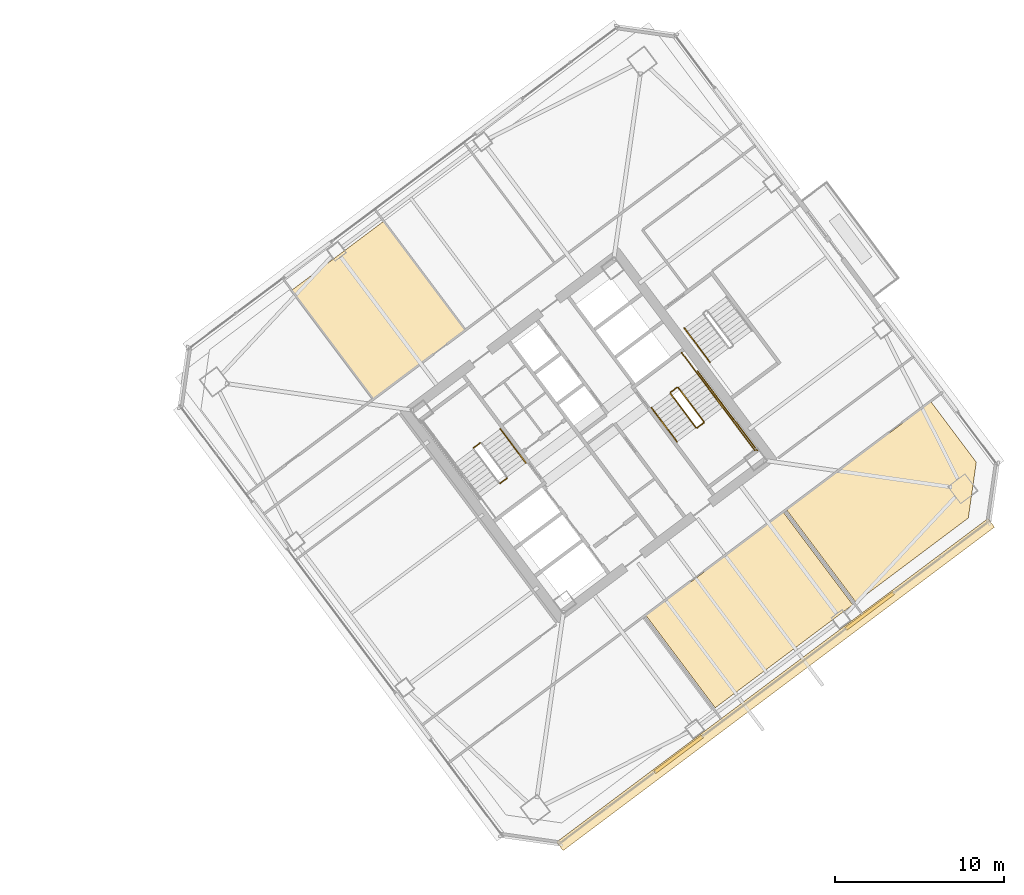
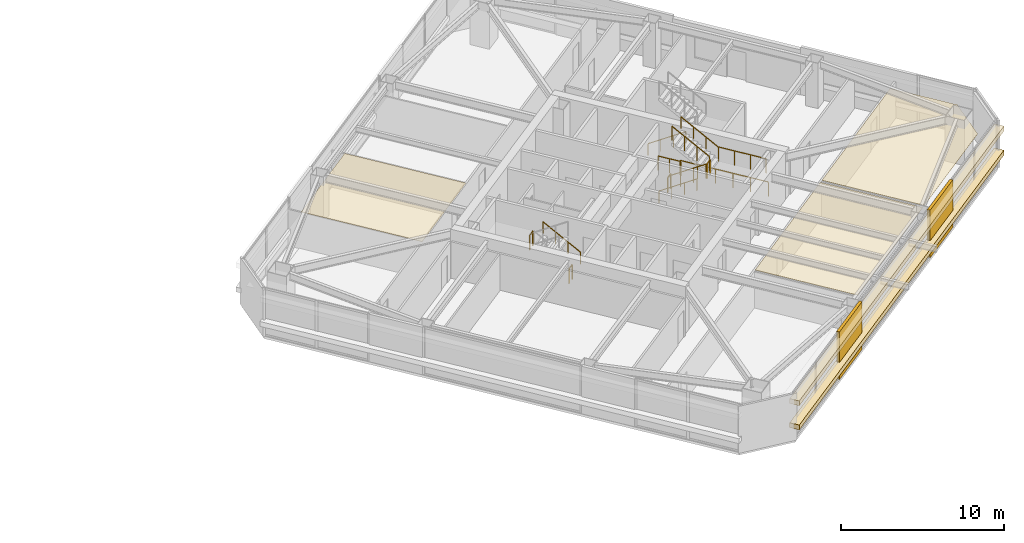
# One storey, part 44 of 46: 13 railings, 7 coverings.
"""IFC4 building model written with IfcOpenShell, lengths in metres."""

from ifc_helpers import new_model, si_unit, direction, frame, origin, origin_2d, place, context, subcontext, project, spatial, polyline, rectangle, outline, extrude, material, layer, layer_set, type_object, element, save


model = new_model("IFC4")

# Units and contexts
model_context = context("Model", 3, precision=1e-05, world=origin(), true_north=direction((0.0, 1.0)))
body_context = subcontext(model_context, "Body", "Model", "MODEL_VIEW")
ifc_project = project(units=[si_unit("LENGTHUNIT", "METRE"), si_unit("AREAUNIT", "SQUARE_METRE"), si_unit("VOLUMEUNIT", "CUBIC_METRE"), si_unit("PLANEANGLEUNIT", "RADIAN"), si_unit("MASSUNIT", "GRAM", prefix="KILO")], contexts=[model_context])

# Site, building, storey
site_placement = place(None, origin())
site = spatial("IfcSite", under=ifc_project, at=site_placement, CompositionType="ELEMENT")
building_placement = place(site_placement, origin())
building = spatial("IfcBuilding", under=site, at=building_placement, Name="Tashvorn Skyway Center", CompositionType="ELEMENT")
storey_placement = place(building_placement, frame((0.0, 0.0, 132.14990234375)))
storey = spatial("IfcBuildingStorey", under=building, at=storey_placement, Name="L35", CompositionType="ELEMENT", Elevation=132.14990234375)

# Coverings
ifc_material_1 = material(Name="Precast concrete C40/50", Category="concrete")
ifc_layer_1 = layer(ifc_material_1, 0.199951171875)
ifc_layer_set_1 = layer_set([ifc_layer_1], Name="Precast concrete C40/50")
covering_type_1 = type_object("IfcCoveringType", Name="COV-BRACE-CLAD", PredefinedType="CLADDING", material=ifc_layer_set_1)
for number, where, z_axis, x_axis, name in (
    (1, (130.6142578125, 21.610595703125, 0.0), (0.0, 0.0, 1.0), (-0.799999996291, -0.600000004945, 0.0), "Tower 2 L35 South Unitised Curtain Wall Mega-Brace Cladding Band 1"),
    (2, (119.32177734375, 13.141357421875, 0.0), (0.0, 0.0, 1.0), (-0.799999996291, -0.600000004945, 0.0), "Tower 2 L35 South Unitised Curtain Wall Mega-Brace Cladding Band 2"),
):
    element("IfcCovering", number, at=place(storey_placement, frame(where, z_axis=z_axis, x_axis=x_axis)), inside=storey, type_object=covering_type_1, Name=name, PredefinedType="CLADDING", context=body_context, shape_type="SweptSolid", body=[
        extrude(rectangle(XDim=3.52880859375, YDim=0.199951171875, at=origin_2d()), origin(), (0.0, 0.0, 1.0), 3.550048828125),
    ])
ifc_material_2 = material(Name="Mineral-fibre acoustic ceiling tile on suspended grid")
ifc_layer_2 = layer(ifc_material_2, 0.02001953125)
ifc_layer_set_2 = layer_set([ifc_layer_2], Name="Mineral-fibre acoustic ceiling tile on suspended grid")
covering_type_2 = type_object("IfcCoveringType", Name="COV-CEIL-20", PredefinedType="CEILING", material=ifc_layer_set_2)
covering_1_placement = place(storey_placement, frame((0.0, 0.0, 2.703125)))
element("IfcCovering", 3, at=covering_1_placement, inside=storey, type_object=covering_type_2, Name="Tower 2 L35 Conference Room Acoustic Ceiling", PredefinedType="CEILING", context=body_context, shape_type="SweptSolid", body=[
    extrude(outline(polyline([(101.27001953125, 34.139892578125), (106.7099609375, 38.219970703125), (101.8798828125, 44.659912109375), (96.43994140625, 40.580078125), (101.27001953125, 34.139892578125)])), origin(), (0.0, 0.0, 1.0), 0.02001953125),
])
covering_2_placement = place(storey_placement, frame((0.0, 0.0, 2.703125)))
element("IfcCovering", 4, at=covering_2_placement, inside=storey, type_object=covering_type_2, Name="Tower 2 L35 Design Studio Acoustic Ceiling", PredefinedType="CEILING", context=body_context, shape_type="SweptSolid", body=[
    extrude(outline(polyline([(117.39208984375, 21.343994140625), (125.52001953125, 27.43994140625), (129.612060546875, 21.98388671875), (121.48388671875, 15.887939453125), (117.39208984375, 21.343994140625)])), origin(), (0.0, 0.0, 1.0), 0.02001953125),
])
covering_3_placement = place(storey_placement, frame((0.0, 0.0, 2.703125)))
element("IfcCovering", 5, at=covering_3_placement, inside=storey, type_object=covering_type_2, Name="Tower 2 L35 Design Studio Acoustic Ceiling", PredefinedType="CEILING", context=body_context, shape_type="SweptSolid", body=[
    extrude(outline(polyline([(129.803955078125, 22.1279296875), (125.7119140625, 27.583984375), (134.239990234375, 33.97998046875), (136.916015625, 30.412109375), (136.444091796875, 27.10791015625), (129.803955078125, 22.1279296875)])), origin(), (0.0, 0.0, 1.0), 0.02001953125),
])
ifc_material_3 = material(Name="Perforated ceramic-coated bronze aluminium solar screen", Category="aluminium")
ifc_layer_3 = layer(ifc_material_3, 0.85009765625)
ifc_layer_set_3 = layer_set([ifc_layer_3], Name="Perforated ceramic-coated bronze aluminium solar screen")
covering_type_3 = type_object("IfcCoveringType", Name="COV-SOLAR-BAND", PredefinedType="CLADDING", material=ifc_layer_set_3)
for number, where, z_axis, x_axis, name in (
    (6, (125.052001953125, 17.263916015625, 0.919921875), (0.0, 0.0, 1.0), (-0.799999996291, -0.600000004945, 0.0), "L35 Perforated Ceramic-Metal Solar Screen Louvre Band South 1"),
    (7, (125.052001953125, 17.263916015625, 2.72021484375), (0.0, 0.0, 1.0), (-0.799999996291, -0.600000004945, 0.0), "L35 Perforated Ceramic-Metal Solar Screen Louvre Band South 2"),
):
    element("IfcCovering", number, at=place(storey_placement, frame(where, z_axis=z_axis, x_axis=x_axis)), inside=storey, type_object=covering_type_3, Name=name, PredefinedType="CLADDING", context=body_context, shape_type="SweptSolid", body=[
        extrude(rectangle(XDim=31.8798828125, YDim=0.639892578125, at=origin_2d()), origin(), (0.0, 0.0, 1.0), 0.360107421875),
    ])

# Railings
ifc_material_4 = material(Name="Brushed stainless steel 316", Category="steel")
railing_type_1 = type_object("IfcRailingType", Name="RAIL-HAND-920", PredefinedType="HANDRAIL", material=ifc_material_4)
railing_1_placement = place(storey_placement, frame((110.2880859375, 30.365966796875, 0.177490234375)))
element("IfcRailing", 8, at=railing_1_placement, inside=storey, type_object=railing_type_1, Name="L35 ST-T2-1 stair handrail 1", PredefinedType="HANDRAIL", context=body_context, shape_type="SweptSolid", body=[
    extrude(rectangle(XDim=0.048095703125, YDim=0.048095703125, at=origin_2d()), frame((0.0, 0.0, 0.8759765625), z_axis=(-0.506779409603, 0.675651334276, 0.53541563714), x_axis=(-0.799976749893, -0.600030998891, 0.0)), (0.0, 0.0, 1.0), 2.98388671875),
    extrude(rectangle(XDim=0.0419921875, YDim=0.0419921875, at=origin_2d()), origin(), (0.0, 0.0, 1.0), 0.851806640625),
    extrude(rectangle(XDim=0.0419921875, YDim=0.0419921875, at=origin_2d()), frame((-0.504150390625, 0.672119140625, 0.532470703125)), (0.0, 0.0, 1.0), 0.851806640625),
    extrude(rectangle(XDim=0.0419921875, YDim=0.0419921875, at=origin_2d()), frame((-1.008056640625, 1.343994140625, 1.065185546875)), (0.0, 0.0, 1.0), 0.851806640625),
    extrude(rectangle(XDim=0.0419921875, YDim=0.0419921875, at=origin_2d()), frame((-1.51220703125, 2.01611328125, 1.59765625)), (0.0, 0.0, 1.0), 0.851806640625),
])
railing_2_placement = place(storey_placement, frame((117.7119140625, 33.634033203125, 0.177490234375)))
element("IfcRailing", 9, at=railing_2_placement, inside=storey, type_object=railing_type_1, Name="L35 ST-T2-2 stair handrail 1", PredefinedType="HANDRAIL", context=body_context, shape_type="SweptSolid", body=[
    extrude(rectangle(XDim=0.048095703125, YDim=0.048095703125, at=origin_2d()), frame((0.0, 0.0, 0.8759765625), z_axis=(0.506779409603, -0.675651334276, 0.53541563714), x_axis=(0.799976749893, 0.600030998891, 0.0)), (0.0, 0.0, 1.0), 2.98388671875),
    extrude(rectangle(XDim=0.0419921875, YDim=0.0419921875, at=origin_2d()), origin(), (0.0, 0.0, 1.0), 0.851806640625),
    extrude(rectangle(XDim=0.0419921875, YDim=0.0419921875, at=origin_2d()), frame((0.504150390625, -0.672119140625, 0.532470703125)), (0.0, 0.0, 1.0), 0.851806640625),
    extrude(rectangle(XDim=0.0419921875, YDim=0.0419921875, at=origin_2d()), frame((1.008056640625, -1.343994140625, 1.065185546875)), (0.0, 0.0, 1.0), 0.851806640625),
    extrude(rectangle(XDim=0.0419921875, YDim=0.0419921875, at=origin_2d()), frame((1.51220703125, -2.01611328125, 1.59765625)), (0.0, 0.0, 1.0), 0.851806640625),
])
railing_3_placement = place(storey_placement, frame((121.927978515625, 33.64599609375, 1.95263671875)))
element("IfcRailing", 10, at=railing_3_placement, inside=storey, type_object=railing_type_1, Name="L35 ST-T2-2 stair handrail 2", PredefinedType="HANDRAIL", context=body_context, shape_type="SweptSolid", body=[
    extrude(rectangle(XDim=0.048095703125, YDim=0.048095703125, at=origin_2d()), frame((0.0, 0.0, 0.8759765625), z_axis=(-0.506740800098, 0.675708949977, 0.535379469569), x_axis=(-0.800023250257, -0.599968998406, 0.0)), (0.0, 0.0, 1.0), 2.983642578125),
    extrude(rectangle(XDim=0.0419921875, YDim=0.0419921875, at=origin_2d()), origin(), (0.0, 0.0, 1.0), 0.851806640625),
    extrude(rectangle(XDim=0.0419921875, YDim=0.0419921875, at=origin_2d()), frame((-0.50390625, 0.672119140625, 0.532470703125)), (0.0, 0.0, 1.0), 0.851806640625),
    extrude(rectangle(XDim=0.0419921875, YDim=0.0419921875, at=origin_2d()), frame((-1.008056640625, 1.343994140625, 1.06494140625)), (0.0, 0.0, 1.0), 0.851806640625),
    extrude(rectangle(XDim=0.0419921875, YDim=0.0419921875, at=origin_2d()), frame((-1.511962890625, 2.01611328125, 1.597412109375)), (0.0, 0.0, 1.0), 0.851806640625),
])
railing_4_placement = place(storey_placement, frame((119.656005859375, 38.342041015625, 0.177490234375)))
element("IfcRailing", 11, at=railing_4_placement, inside=storey, type_object=railing_type_1, Name="L35 ST-T2-3 stair handrail 1", PredefinedType="HANDRAIL", context=body_context, shape_type="SweptSolid", body=[
    extrude(rectangle(XDim=0.048095703125, YDim=0.048095703125, at=origin_2d()), frame((0.0, 0.0, 0.8759765625), z_axis=(0.506718600913, -0.675679348675, 0.535437836974), x_axis=(0.800023250257, 0.599968998406, 0.0)), (0.0, 0.0, 1.0), 2.98388671875),
    extrude(rectangle(XDim=0.0419921875, YDim=0.0419921875, at=origin_2d()), origin(), (0.0, 0.0, 1.0), 0.851806640625),
    extrude(rectangle(XDim=0.0419921875, YDim=0.0419921875, at=origin_2d()), frame((0.50390625, -0.672119140625, 0.532470703125)), (0.0, 0.0, 1.0), 0.851806640625),
    extrude(rectangle(XDim=0.0419921875, YDim=0.0419921875, at=origin_2d()), frame((1.008056640625, -1.343994140625, 1.065185546875)), (0.0, 0.0, 1.0), 0.851806640625),
    extrude(rectangle(XDim=0.0419921875, YDim=0.0419921875, at=origin_2d()), frame((1.511962890625, -2.01611328125, 1.59765625)), (0.0, 0.0, 1.0), 0.851806640625),
])
ifc_material_5 = material(Name="Painted galvanized steel S355", Category="steel")
railing_type_2 = type_object("IfcRailingType", Name="RAIL-STGUARD-1100", PredefinedType="GUARDRAIL", material=ifc_material_5)
for number, where, name in (
    (12, (107.5859375, 31.552001953125, 1.775146484375), "L35 ST-T2-1 stair guard 2"),
    (13, (109.157958984375, 29.4560546875, 0.0), "L35 ST-T2-1 stair guard 5"),
):
    element("IfcRailing", number, at=place(storey_placement, frame(where)), inside=storey, type_object=railing_type_2, Name=name, PredefinedType="GUARDRAIL", context=body_context, shape_type="SweptSolid", body=[
        extrude(rectangle(XDim=0.048095703125, YDim=0.048095703125, at=origin_2d()), frame((0.0, 0.0, 1.076171875), z_axis=(-0.799938970639, -0.600081363861, 0.0), x_axis=(0.600081363861, -0.799938970639, 0.0)), (0.0, 0.0, 1.0), 0.47998046875),
        extrude(rectangle(XDim=0.0419921875, YDim=0.0419921875, at=origin_2d()), origin(), (0.0, 0.0, 1.0), 1.052001953125),
        extrude(rectangle(XDim=0.0419921875, YDim=0.0419921875, at=origin_2d()), frame((-0.384033203125, -0.2880859375, 0.0)), (0.0, 0.0, 1.0), 1.052001953125),
    ])
railing_5_placement = place(storey_placement, frame((118.83203125, 34.47412109375, 0.177490234375)))
element("IfcRailing", 14, at=railing_5_placement, inside=storey, type_object=railing_type_2, Name="L35 ST-T2-2 stair guard 1", PredefinedType="GUARDRAIL", context=body_context, shape_type="SweptSolid", body=[
    extrude(rectangle(XDim=0.048095703125, YDim=0.048095703125, at=origin_2d()), frame((0.0, 0.0, 1.076171875), z_axis=(0.506718600913, -0.675679348675, 0.535437836974), x_axis=(0.800023250257, 0.599968998406, 0.0)), (0.0, 0.0, 1.0), 2.98388671875),
    extrude(rectangle(XDim=0.0419921875, YDim=0.0419921875, at=origin_2d()), origin(), (0.0, 0.0, 1.0), 1.052001953125),
    extrude(rectangle(XDim=0.0419921875, YDim=0.0419921875, at=origin_2d()), frame((0.50390625, -0.672119140625, 0.532470703125)), (0.0, 0.0, 1.0), 1.052001953125),
    extrude(rectangle(XDim=0.0419921875, YDim=0.0419921875, at=origin_2d()), frame((1.008056640625, -1.343994140625, 1.065185546875)), (0.0, 0.0, 1.0), 1.052001953125),
    extrude(rectangle(XDim=0.0419921875, YDim=0.0419921875, at=origin_2d()), frame((1.511962890625, -2.01611328125, 1.59765625)), (0.0, 0.0, 1.0), 1.052001953125),
])
railing_6_placement = place(storey_placement, frame((120.4140625, 32.447998046875, 1.775146484375)))
element("IfcRailing", 15, at=railing_6_placement, inside=storey, type_object=railing_type_2, Name="L35 ST-T2-2 stair guard 2", PredefinedType="GUARDRAIL", context=body_context, shape_type="SweptSolid", body=[
    extrude(rectangle(XDim=0.048095703125, YDim=0.048095703125, at=origin_2d()), frame((0.0, 0.0, 1.076171875), z_axis=(0.799938970639, 0.600081363861, 0.0), x_axis=(-0.600081363861, 0.799938970639, 0.0)), (0.0, 0.0, 1.0), 0.47998046875),
    extrude(rectangle(XDim=0.0419921875, YDim=0.0419921875, at=origin_2d()), origin(), (0.0, 0.0, 1.0), 1.052001953125),
    extrude(rectangle(XDim=0.0419921875, YDim=0.0419921875, at=origin_2d()), frame((0.384033203125, 0.2880859375, 0.0)), (0.0, 0.0, 1.0), 1.052001953125),
])
railing_7_placement = place(storey_placement, frame((121.927978515625, 33.64599609375, 1.775146484375)))
element("IfcRailing", 16, at=railing_7_placement, inside=storey, type_object=railing_type_2, Name="L35 ST-T2-2 stair guard 3", PredefinedType="GUARDRAIL", context=body_context, shape_type="SweptSolid", body=[
    extrude(rectangle(XDim=0.048095703125, YDim=0.048095703125, at=origin_2d()), frame((0.0, 0.0, 1.076171875), z_axis=(0.599987638607, -0.800009270896, 0.0), x_axis=(0.800009270896, 0.599987638607, 0.0)), (0.0, 0.0, 1.0), 3.16015625),
    extrude(rectangle(XDim=0.0419921875, YDim=0.0419921875, at=origin_2d()), origin(), (0.0, 0.0, 1.0), 1.052001953125),
    extrude(rectangle(XDim=0.0419921875, YDim=0.0419921875, at=origin_2d()), frame((0.632080078125, -0.8427734375, 0.0)), (0.0, 0.0, 1.0), 1.052001953125),
    extrude(rectangle(XDim=0.0419921875, YDim=0.0419921875, at=origin_2d()), frame((1.263916015625, -1.685302734375, 0.0)), (0.0, 0.0, 1.0), 1.052001953125),
    extrude(rectangle(XDim=0.0419921875, YDim=0.0419921875, at=origin_2d()), frame((1.89599609375, -2.528076171875, 0.0)), (0.0, 0.0, 1.0), 1.052001953125),
])
railing_8_placement = place(storey_placement, frame((120.80810546875, 32.805908203125, 1.95263671875)))
element("IfcRailing", 17, at=railing_8_placement, inside=storey, type_object=railing_type_2, Name="L35 ST-T2-2 stair guard 4", PredefinedType="GUARDRAIL", context=body_context, shape_type="SweptSolid", body=[
    extrude(rectangle(XDim=0.048095703125, YDim=0.048095703125, at=origin_2d()), frame((0.0, 0.0, 1.076171875), z_axis=(-0.506801609611, 0.675680931896, 0.535357270211), x_axis=(-0.799976749893, -0.600030998891, 0.0)), (0.0, 0.0, 1.0), 2.98388671875),
    extrude(rectangle(XDim=0.0419921875, YDim=0.0419921875, at=origin_2d()), origin(), (0.0, 0.0, 1.0), 1.052001953125),
    extrude(rectangle(XDim=0.0419921875, YDim=0.0419921875, at=origin_2d()), frame((-0.504150390625, 0.672119140625, 0.532470703125)), (0.0, 0.0, 1.0), 1.052001953125),
    extrude(rectangle(XDim=0.0419921875, YDim=0.0419921875, at=origin_2d()), frame((-1.008056640625, 1.343994140625, 1.06494140625)), (0.0, 0.0, 1.0), 1.052001953125),
    extrude(rectangle(XDim=0.0419921875, YDim=0.0419921875, at=origin_2d()), frame((-1.51220703125, 2.01611328125, 1.597412109375)), (0.0, 0.0, 1.0), 1.052001953125),
])
railing_9_placement = place(storey_placement, frame((118.842041015625, 34.5439453125, 0.0)))
element("IfcRailing", 18, at=railing_9_placement, inside=storey, type_object=railing_type_2, Name="L35 ST-T2-2 stair guard 5", PredefinedType="GUARDRAIL", context=body_context, shape_type="SweptSolid", body=[
    extrude(rectangle(XDim=0.048095703125, YDim=0.048095703125, at=origin_2d()), frame((0.0, 0.0, 1.076171875), z_axis=(0.799938970639, 0.600081363861, 0.0), x_axis=(-0.600081363861, 0.799938970639, 0.0)), (0.0, 0.0, 1.0), 0.47998046875),
    extrude(rectangle(XDim=0.0419921875, YDim=0.0419921875, at=origin_2d()), origin(), (0.0, 0.0, 1.0), 1.052001953125),
    extrude(rectangle(XDim=0.0419921875, YDim=0.0419921875, at=origin_2d()), frame((0.384033203125, 0.2880859375, 0.0)), (0.0, 0.0, 1.0), 1.052001953125),
])
railing_10_placement = place(storey_placement, frame((119.50390625, 36.8779296875, 0.0)))
element("IfcRailing", 19, at=railing_10_placement, inside=storey, type_object=railing_type_2, Name="L35 ST-T2-2 stair guard 6", PredefinedType="GUARDRAIL", context=body_context, shape_type="SweptSolid", body=[
    extrude(rectangle(XDim=0.048095703125, YDim=0.048095703125, at=origin_2d()), frame((0.0, 0.0, 1.076171875), z_axis=(0.600102796382, -0.799922892393, 0.0), x_axis=(0.799922892393, 0.600102796382, 0.0)), (0.0, 0.0, 1.0), 1.52001953125),
    extrude(rectangle(XDim=0.0419921875, YDim=0.0419921875, at=origin_2d()), origin(), (0.0, 0.0, 1.0), 1.052001953125),
    extrude(rectangle(XDim=0.0419921875, YDim=0.0419921875, at=origin_2d()), frame((0.4560546875, -0.60791015625, 0.0)), (0.0, 0.0, 1.0), 1.052001953125),
    extrude(rectangle(XDim=0.0419921875, YDim=0.0419921875, at=origin_2d()), frame((0.912109375, -1.2158203125, 0.0)), (0.0, 0.0, 1.0), 1.052001953125),
])
railing_11_placement = place(storey_placement, frame((120.43603515625, 35.802001953125, 0.0)))
element("IfcRailing", 20, at=railing_11_placement, inside=storey, type_object=railing_type_2, Name="L35 ST-T2-2 stair guard 7", PredefinedType="GUARDRAIL", context=body_context, shape_type="SweptSolid", body=[
    extrude(rectangle(XDim=0.048095703125, YDim=0.048095703125, at=origin_2d()), frame((0.0, 0.0, 1.076171875), z_axis=(0.6, -0.8, 0.0), x_axis=(0.8, 0.6, 0.0)), (0.0, 0.0, 1.0), 5.880126953125),
    extrude(rectangle(XDim=0.0419921875, YDim=0.0419921875, at=origin_2d()), origin(), (0.0, 0.0, 1.0), 1.052001953125),
    extrude(rectangle(XDim=0.0419921875, YDim=0.0419921875, at=origin_2d()), frame((0.70556640625, -0.94091796875, 0.0)), (0.0, 0.0, 1.0), 1.052001953125),
    extrude(rectangle(XDim=0.0419921875, YDim=0.0419921875, at=origin_2d()), frame((1.4111328125, -1.881591796875, 0.0)), (0.0, 0.0, 1.0), 1.052001953125),
    extrude(rectangle(XDim=0.0419921875, YDim=0.0419921875, at=origin_2d()), frame((2.116943359375, -2.822509765625, 0.0)), (0.0, 0.0, 1.0), 1.052001953125),
    extrude(rectangle(XDim=0.0419921875, YDim=0.0419921875, at=origin_2d()), frame((2.822509765625, -3.76318359375, 0.0)), (0.0, 0.0, 1.0), 1.052001953125),
    extrude(rectangle(XDim=0.0419921875, YDim=0.0419921875, at=origin_2d()), frame((3.528076171875, -4.7041015625, 0.0)), (0.0, 0.0, 1.0), 1.052001953125),
])

save(model, "model.ifc")
